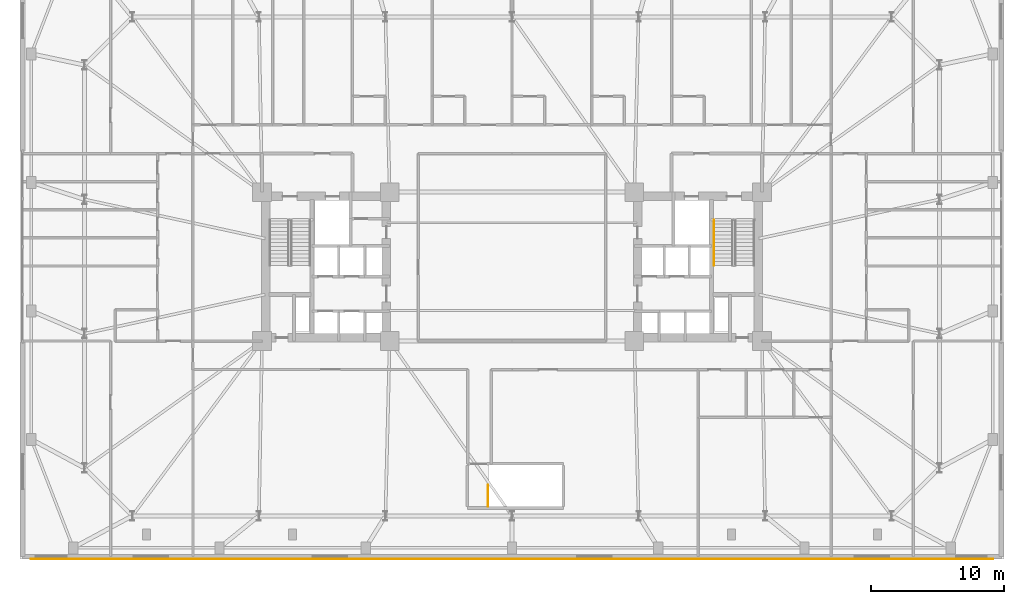
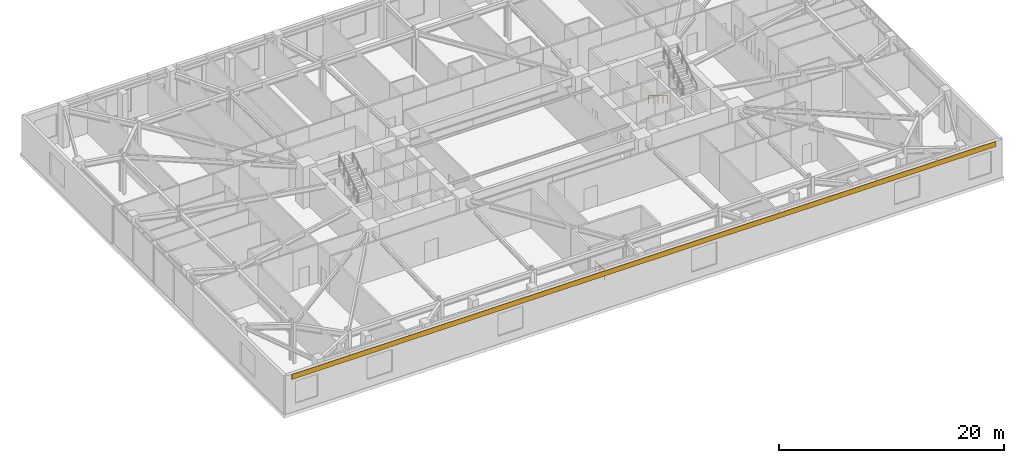
# One storey, part 19 of 21: 2 railings, 1 covering.
"""IFC4 building model written with IfcOpenShell, lengths in metres."""

from ifc_helpers import new_model, si_unit, direction, frame, origin, origin_2d, place, context, subcontext, project, spatial, polyline, circle, outline, extrude, material, layer, layer_set, type_object, element, save


model = new_model("IFC4")

# Units and contexts
model_context = context("Model", 3, precision=1e-05, world=origin(), true_north=direction((0.0, 1.0)))
body_context = subcontext(model_context, "Body", "Model", "MODEL_VIEW")
ifc_project = project(units=[si_unit("LENGTHUNIT", "METRE"), si_unit("AREAUNIT", "SQUARE_METRE"), si_unit("VOLUMEUNIT", "CUBIC_METRE"), si_unit("PLANEANGLEUNIT", "RADIAN"), si_unit("MASSUNIT", "GRAM", prefix="KILO")], contexts=[model_context])

# Site, building, storey
site_placement = place(None, origin())
site = spatial("IfcSite", under=ifc_project, at=site_placement, CompositionType="ELEMENT")
building_placement = place(site_placement, origin())
building = spatial("IfcBuilding", under=site, at=building_placement, Name="Qobustan Lattice House", CompositionType="ELEMENT")
storey_placement = place(building_placement, frame((0.0, 0.0, 22.5)))
storey = spatial("IfcBuildingStorey", under=building, at=storey_placement, Name="L05", CompositionType="ELEMENT", Elevation=22.5)

# Covering
ifc_material_1 = material(Name="Qobustan buff limestone cladding", Category="masonry")
ifc_layer = layer(ifc_material_1, 0.044921875)
ifc_layer_set = layer_set([ifc_layer], Name="Qobustan buff limestone cladding")
covering_type = type_object("IfcCoveringType", Name="COV-STONE-CLAD", PredefinedType="CLADDING", material=ifc_layer_set)
covering_placement = place(storey_placement, frame((0.0, 0.0, 3.610107421875)))
element("IfcCovering", 1, at=covering_placement, inside=storey, type_object=covering_type, Name="L05 S Qobustan limestone cornice band", PredefinedType="CLADDING", context=body_context, shape_type="SweptSolid", body=[
    extrude(outline(polyline([(36.199951171875, -21.9580078125), (36.199951171875, -22.0029296875), (-36.199951171875, -22.0029296875), (-36.199951171875, -21.9580078125), (36.199951171875, -21.9580078125)])), origin(), (0.0, 0.0, 1.0), 0.5498046875),
])

# Railings
ifc_material_2 = material(Name="Brushed stainless steel handrail", Category="steel")
railing_type_1 = type_object("IfcRailingType", Name="RAL-HR-920", PredefinedType="HANDRAIL", material=ifc_material_2)
railing_1_placement = place(storey_placement, frame((15.179931640625, 3.5, 0.173095703125)))
element("IfcRailing", 2, at=railing_1_placement, inside=storey, type_object=railing_type_1, Name="L05 ST-E1 stair handrail 1", PredefinedType="HANDRAIL", context=body_context, shape_type="SweptSolid", body=[
    extrude(circle(Radius=0.02392578125, at=origin_2d()), frame((0.0, 0.0, 0.8759765625), z_axis=(0.0, -0.854729506542, 0.519073665916), x_axis=(1.0, 0.0, 0.0)), (0.0, 0.0, 1.0), 4.001220703125),
    extrude(circle(Radius=0.02099609375, at=origin_2d()), origin(), (0.0, 0.0, 1.0), 0.851806640625),
    extrude(circle(Radius=0.02099609375, at=origin_2d()), frame((0.0, -0.85498046875, 0.519287109375)), (0.0, 0.0, 1.0), 0.851806640625),
    extrude(circle(Radius=0.02099609375, at=origin_2d()), frame((0.0, -1.7099609375, 1.03857421875)), (0.0, 0.0, 1.0), 0.851806640625),
    extrude(circle(Radius=0.02099609375, at=origin_2d()), frame((0.0, -2.56494140625, 1.5576171875)), (0.0, 0.0, 1.0), 0.851806640625),
    extrude(circle(Radius=0.02099609375, at=origin_2d()), frame((0.0, -3.419921875, 2.076904296875)), (0.0, 0.0, 1.0), 0.851806640625),
])
ifc_material_3 = material(Name="Painted galvanized steel guardrail", Category="steel")
railing_type_2 = type_object("IfcRailingType", Name="RAL-STG-1150", PredefinedType="GUARDRAIL", material=ifc_material_3)
railing_2_placement = place(storey_placement, frame((-1.800048828125, -18.06005859375, 0.0)))
element("IfcRailing", 3, at=railing_2_placement, inside=storey, type_object=railing_type_2, Name="L05 ST-P1 top well guard 1", PredefinedType="GUARDRAIL", context=body_context, shape_type="SweptSolid", body=[
    extrude(circle(Radius=0.02392578125, at=origin_2d()), frame((0.0, 0.0, 1.076171875), z_axis=(0.0, 1.0, 0.0), x_axis=(-1.0, 0.0, 0.0)), (0.0, 0.0, 1.0), 1.6201171875),
    extrude(circle(Radius=0.02099609375, at=origin_2d()), origin(), (0.0, 0.0, 1.0), 1.052001953125),
    extrude(circle(Radius=0.02099609375, at=origin_2d()), frame((0.0, 0.81005859375, 0.0)), (0.0, 0.0, 1.0), 1.052001953125),
    extrude(circle(Radius=0.02099609375, at=origin_2d()), frame((0.0, 1.6201171875, 0.0)), (0.0, 0.0, 1.0), 1.052001953125),
])

save(model, "model.ifc")
